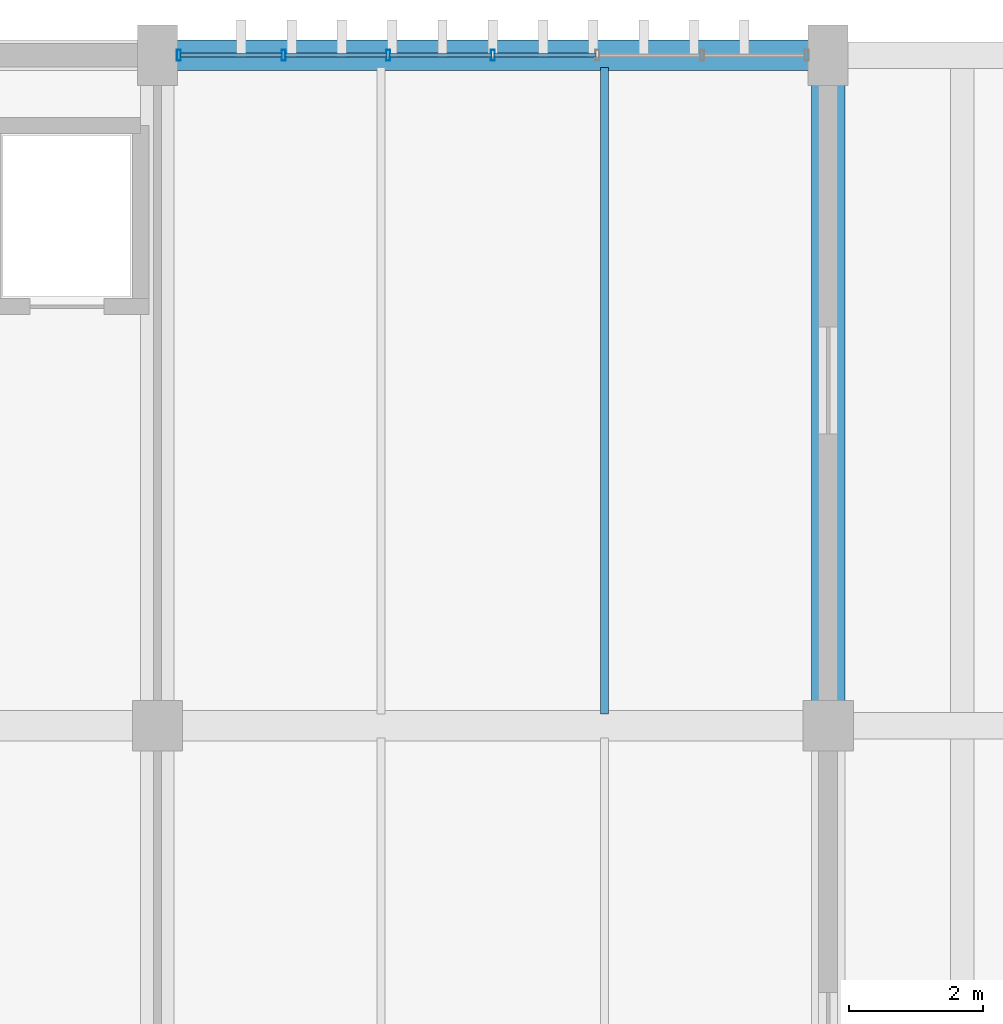
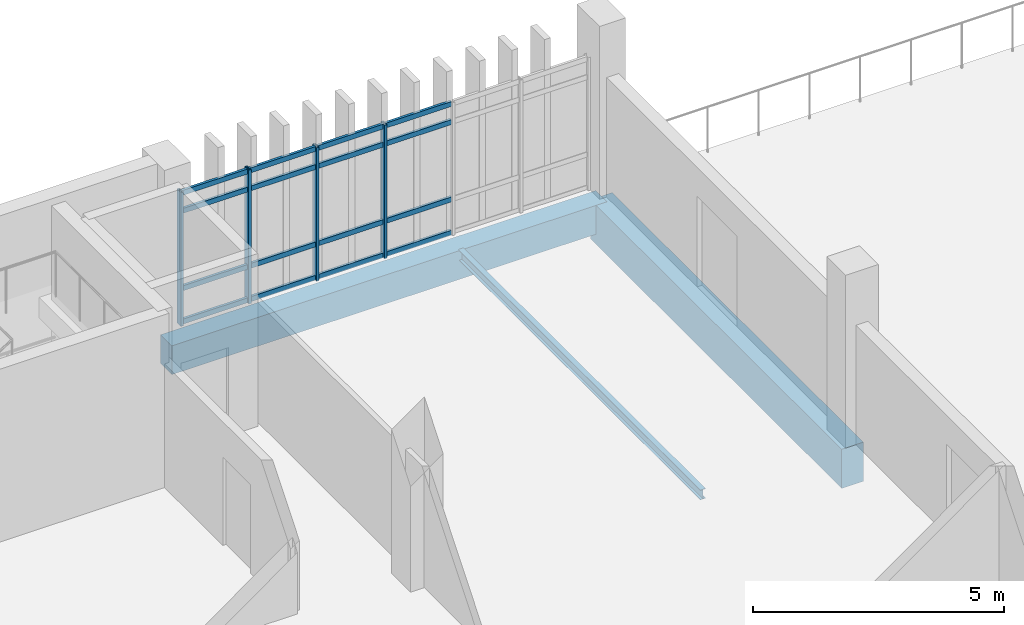
# One storey, part 59 of 111: 20 members, 3 beams, 1 element without a shape of its own.
"""IFC4 building model written with IfcOpenShell, lengths in metres."""

from ifc_helpers import new_model, si_unit, direction, frame, origin, origin_2d, place, context, subcontext, project, spatial, rectangle, hollow_rectangle, i_section, extrude, material, layer, layer_set, material_profile, profile_set, type_object, element, aggregate, save


model = new_model("IFC4")

# Units and contexts
model_context = context("Model", 3, precision=1e-05, world=origin(), true_north=direction((0.0, 1.0)))
body_context = subcontext(model_context, "Body", "Model", "MODEL_VIEW")
ifc_project = project(units=[si_unit("LENGTHUNIT", "METRE"), si_unit("AREAUNIT", "SQUARE_METRE"), si_unit("VOLUMEUNIT", "CUBIC_METRE"), si_unit("PLANEANGLEUNIT", "RADIAN"), si_unit("MASSUNIT", "GRAM", prefix="KILO")], contexts=[model_context])

# Site, building, storey
site_placement = place(None, origin())
site = spatial("IfcSite", under=ifc_project, at=site_placement, CompositionType="ELEMENT")
building_placement = place(site_placement, origin())
building = spatial("IfcBuilding", under=site, at=building_placement, Name="Mersad Railyard Sports Hall", CompositionType="ELEMENT")
storey_placement = place(building_placement, frame((0.0, 0.0, 9.0)))
storey = spatial("IfcBuildingStorey", under=building, at=storey_placement, Name="L02", CompositionType="ELEMENT", Elevation=9.0)

# Curtain wall, members
ifc_material_1 = material(Name="Aluminium 6063-T6", Category="aluminium")
ifc_layer = layer(ifc_material_1, 0.159912109375)
ifc_layer_set = layer_set([ifc_layer], Name="Aluminium 6063-T6")
curtain_wall_type = type_object("IfcCurtainWallType", Name="ARC-CW-CW53", PredefinedType="USERDEFINED", material=ifc_layer_set)
curtain_wall_placement = place(storey_placement, origin())
curtain_wall = element("IfcCurtainWall", 1, at=curtain_wall_placement, inside=storey, type_object=curtain_wall_type, Name="Curtain wall CW53-0142", ObjectType="CURTAIN WALL", PredefinedType="USERDEFINED")
ifc_material_profile_1 = material_profile(ifc_material_1, hollow_rectangle(XDim=0.06005859375, YDim=0.159912109375, WallThickness=0.00390625, at=origin_2d()), Name="AL MULLION 60x160x4")
ifc_profile_set_1 = profile_set([ifc_material_profile_1], Name="Aluminium 6063-T6")
member_type_1 = type_object("IfcMemberType", Name="ARC-CW-MUL01", PredefinedType="MULLION", material=ifc_profile_set_1)
member_1_placement = place(storey_placement, frame((121.320068359375, 115.0, -0.02001953125), z_axis=(0.0, 0.0, 1.0), x_axis=(1.0, 0.0, 0.0)))
member_1 = element("IfcMember", 2, at=member_1_placement, type_object=member_type_1, Name="CW53 Mullion 1", PredefinedType="MULLION", context=body_context, shape_type="SweptSolid", body=[
    extrude(hollow_rectangle(XDim=0.06005859375, YDim=0.159912109375, WallThickness=0.00390625, at=origin_2d()), origin(), (0.0, 0.0, 1.0), 3.25),
])
member_2_placement = place(storey_placement, frame((122.8798828125, 115.0, -0.02001953125), z_axis=(0.0, 0.0, 1.0), x_axis=(1.0, 0.0, 0.0)))
member_2 = element("IfcMember", 3, at=member_2_placement, type_object=member_type_1, Name="CW53 Mullion 2", PredefinedType="MULLION", context=body_context, shape_type="SweptSolid", body=[
    extrude(hollow_rectangle(XDim=0.06005859375, YDim=0.159912109375, WallThickness=0.00390625, at=origin_2d()), origin(), (0.0, 0.0, 1.0), 3.25),
])
member_3_placement = place(storey_placement, frame((124.43994140625, 115.0, -0.02001953125), z_axis=(0.0, 0.0, 1.0), x_axis=(1.0, 0.0, 0.0)))
member_3 = element("IfcMember", 4, at=member_3_placement, type_object=member_type_1, Name="CW53 Mullion 3", PredefinedType="MULLION", context=body_context, shape_type="SweptSolid", body=[
    extrude(hollow_rectangle(XDim=0.06005859375, YDim=0.159912109375, WallThickness=0.00390625, at=origin_2d()), origin(), (0.0, 0.0, 1.0), 3.25),
])
member_4_placement = place(storey_placement, frame((126.0, 115.0, -0.02001953125), z_axis=(0.0, 0.0, 1.0), x_axis=(1.0, 0.0, 0.0)))
member_4 = element("IfcMember", 5, at=member_4_placement, type_object=member_type_1, Name="CW53 Mullion 4", PredefinedType="MULLION", context=body_context, shape_type="SweptSolid", body=[
    extrude(hollow_rectangle(XDim=0.06005859375, YDim=0.159912109375, WallThickness=0.00390625, at=origin_2d()), origin(), (0.0, 0.0, 1.0), 3.25),
])
ifc_material_profile_2 = material_profile(ifc_material_1, hollow_rectangle(XDim=0.06005859375, YDim=0.1201171875, WallThickness=0.00390625, at=origin_2d()), Name="AL TRANSOM 60x120x4")
ifc_profile_set_2 = profile_set([ifc_material_profile_2], Name="Aluminium 6063-T6")
member_type_2 = type_object("IfcMemberType", Name="ARC-CW-TRN01", PredefinedType="USERDEFINED", material=ifc_profile_set_2)
member_5_placement = place(storey_placement, frame((121.340087890625, 115.0, 0.0400390625), z_axis=(1.0, 0.0, 0.0), x_axis=(0.0, 1.0, 0.0)))
member_5 = element("IfcMember", 6, at=member_5_placement, type_object=member_type_2, Name="CW53 Transom 1-1", ObjectType="TRANSOM", PredefinedType="USERDEFINED", context=body_context, shape_type="SweptSolid", body=[
    extrude(hollow_rectangle(XDim=0.06005859375, YDim=0.1201171875, WallThickness=0.00390625, at=origin_2d()), origin(), (0.0, 0.0, 1.0), 1.52001953125),
])
member_6_placement = place(storey_placement, frame((122.89990234375, 115.0, 0.0400390625), z_axis=(1.0, 0.0, 0.0), x_axis=(0.0, 1.0, 0.0)))
member_6 = element("IfcMember", 7, at=member_6_placement, type_object=member_type_2, Name="CW53 Transom 1-2", ObjectType="TRANSOM", PredefinedType="USERDEFINED", context=body_context, shape_type="SweptSolid", body=[
    extrude(hollow_rectangle(XDim=0.06005859375, YDim=0.1201171875, WallThickness=0.00390625, at=origin_2d()), origin(), (0.0, 0.0, 1.0), 1.52001953125),
])
member_7_placement = place(storey_placement, frame((124.4599609375, 115.0, 0.0400390625), z_axis=(1.0, 0.0, 0.0), x_axis=(0.0, 1.0, 0.0)))
member_7 = element("IfcMember", 8, at=member_7_placement, type_object=member_type_2, Name="CW53 Transom 1-3", ObjectType="TRANSOM", PredefinedType="USERDEFINED", context=body_context, shape_type="SweptSolid", body=[
    extrude(hollow_rectangle(XDim=0.06005859375, YDim=0.1201171875, WallThickness=0.00390625, at=origin_2d()), origin(), (0.0, 0.0, 1.0), 1.52001953125),
])
member_8_placement = place(storey_placement, frame((126.02001953125, 115.0, 0.0400390625), z_axis=(1.0, 0.0, 0.0), x_axis=(0.0, 1.0, 0.0)))
member_8 = element("IfcMember", 9, at=member_8_placement, type_object=member_type_2, Name="CW53 Transom 1-4", ObjectType="TRANSOM", PredefinedType="USERDEFINED", context=body_context, shape_type="SweptSolid", body=[
    extrude(hollow_rectangle(XDim=0.06005859375, YDim=0.1201171875, WallThickness=0.00390625, at=origin_2d()), origin(), (0.0, 0.0, 1.0), 1.52001953125),
])
member_9_placement = place(storey_placement, frame((121.340087890625, 115.0, 0.85009765625), z_axis=(1.0, 0.0, 0.0), x_axis=(0.0, 1.0, 0.0)))
member_9 = element("IfcMember", 10, at=member_9_placement, type_object=member_type_2, Name="CW53 Transom 2-1", ObjectType="TRANSOM", PredefinedType="USERDEFINED", context=body_context, shape_type="SweptSolid", body=[
    extrude(hollow_rectangle(XDim=0.06005859375, YDim=0.1201171875, WallThickness=0.00390625, at=origin_2d()), origin(), (0.0, 0.0, 1.0), 1.52001953125),
])
member_10_placement = place(storey_placement, frame((122.89990234375, 115.0, 0.85009765625), z_axis=(1.0, 0.0, 0.0), x_axis=(0.0, 1.0, 0.0)))
member_10 = element("IfcMember", 11, at=member_10_placement, type_object=member_type_2, Name="CW53 Transom 2-2", ObjectType="TRANSOM", PredefinedType="USERDEFINED", context=body_context, shape_type="SweptSolid", body=[
    extrude(hollow_rectangle(XDim=0.06005859375, YDim=0.1201171875, WallThickness=0.00390625, at=origin_2d()), origin(), (0.0, 0.0, 1.0), 1.52001953125),
])
member_11_placement = place(storey_placement, frame((124.4599609375, 115.0, 0.85009765625), z_axis=(1.0, 0.0, 0.0), x_axis=(0.0, 1.0, 0.0)))
member_11 = element("IfcMember", 12, at=member_11_placement, type_object=member_type_2, Name="CW53 Transom 2-3", ObjectType="TRANSOM", PredefinedType="USERDEFINED", context=body_context, shape_type="SweptSolid", body=[
    extrude(hollow_rectangle(XDim=0.06005859375, YDim=0.1201171875, WallThickness=0.00390625, at=origin_2d()), origin(), (0.0, 0.0, 1.0), 1.52001953125),
])
member_12_placement = place(storey_placement, frame((126.02001953125, 115.0, 0.85009765625), z_axis=(1.0, 0.0, 0.0), x_axis=(0.0, 1.0, 0.0)))
member_12 = element("IfcMember", 13, at=member_12_placement, type_object=member_type_2, Name="CW53 Transom 2-4", ObjectType="TRANSOM", PredefinedType="USERDEFINED", context=body_context, shape_type="SweptSolid", body=[
    extrude(hollow_rectangle(XDim=0.06005859375, YDim=0.1201171875, WallThickness=0.00390625, at=origin_2d()), origin(), (0.0, 0.0, 1.0), 1.52001953125),
])
member_13_placement = place(storey_placement, frame((121.340087890625, 115.0, 2.72998046875), z_axis=(1.0, 0.0, 0.0), x_axis=(0.0, 1.0, 0.0)))
member_13 = element("IfcMember", 14, at=member_13_placement, type_object=member_type_2, Name="CW53 Transom 3-1", ObjectType="TRANSOM", PredefinedType="USERDEFINED", context=body_context, shape_type="SweptSolid", body=[
    extrude(hollow_rectangle(XDim=0.06005859375, YDim=0.1201171875, WallThickness=0.00390625, at=origin_2d()), origin(), (0.0, 0.0, 1.0), 1.52001953125),
])
member_14_placement = place(storey_placement, frame((122.89990234375, 115.0, 2.72998046875), z_axis=(1.0, 0.0, 0.0), x_axis=(0.0, 1.0, 0.0)))
member_14 = element("IfcMember", 15, at=member_14_placement, type_object=member_type_2, Name="CW53 Transom 3-2", ObjectType="TRANSOM", PredefinedType="USERDEFINED", context=body_context, shape_type="SweptSolid", body=[
    extrude(hollow_rectangle(XDim=0.06005859375, YDim=0.1201171875, WallThickness=0.00390625, at=origin_2d()), origin(), (0.0, 0.0, 1.0), 1.52001953125),
])
member_15_placement = place(storey_placement, frame((124.4599609375, 115.0, 2.72998046875), z_axis=(1.0, 0.0, 0.0), x_axis=(0.0, 1.0, 0.0)))
member_15 = element("IfcMember", 16, at=member_15_placement, type_object=member_type_2, Name="CW53 Transom 3-3", ObjectType="TRANSOM", PredefinedType="USERDEFINED", context=body_context, shape_type="SweptSolid", body=[
    extrude(hollow_rectangle(XDim=0.06005859375, YDim=0.1201171875, WallThickness=0.00390625, at=origin_2d()), origin(), (0.0, 0.0, 1.0), 1.52001953125),
])
member_16_placement = place(storey_placement, frame((126.02001953125, 115.0, 2.72998046875), z_axis=(1.0, 0.0, 0.0), x_axis=(0.0, 1.0, 0.0)))
member_16 = element("IfcMember", 17, at=member_16_placement, type_object=member_type_2, Name="CW53 Transom 3-4", ObjectType="TRANSOM", PredefinedType="USERDEFINED", context=body_context, shape_type="SweptSolid", body=[
    extrude(hollow_rectangle(XDim=0.06005859375, YDim=0.1201171875, WallThickness=0.00390625, at=origin_2d()), origin(), (0.0, 0.0, 1.0), 1.52001953125),
])
member_17_placement = place(storey_placement, frame((121.340087890625, 115.0, 3.169921875), z_axis=(1.0, 0.0, 0.0), x_axis=(0.0, 1.0, 0.0)))
member_17 = element("IfcMember", 18, at=member_17_placement, type_object=member_type_2, Name="CW53 Transom 4-1", ObjectType="TRANSOM", PredefinedType="USERDEFINED", context=body_context, shape_type="SweptSolid", body=[
    extrude(hollow_rectangle(XDim=0.06005859375, YDim=0.1201171875, WallThickness=0.00390625, at=origin_2d()), origin(), (0.0, 0.0, 1.0), 1.52001953125),
])
member_18_placement = place(storey_placement, frame((122.89990234375, 115.0, 3.169921875), z_axis=(1.0, 0.0, 0.0), x_axis=(0.0, 1.0, 0.0)))
member_18 = element("IfcMember", 19, at=member_18_placement, type_object=member_type_2, Name="CW53 Transom 4-2", ObjectType="TRANSOM", PredefinedType="USERDEFINED", context=body_context, shape_type="SweptSolid", body=[
    extrude(hollow_rectangle(XDim=0.06005859375, YDim=0.1201171875, WallThickness=0.00390625, at=origin_2d()), origin(), (0.0, 0.0, 1.0), 1.52001953125),
])
member_19_placement = place(storey_placement, frame((124.4599609375, 115.0, 3.169921875), z_axis=(1.0, 0.0, 0.0), x_axis=(0.0, 1.0, 0.0)))
member_19 = element("IfcMember", 20, at=member_19_placement, type_object=member_type_2, Name="CW53 Transom 4-3", ObjectType="TRANSOM", PredefinedType="USERDEFINED", context=body_context, shape_type="SweptSolid", body=[
    extrude(hollow_rectangle(XDim=0.06005859375, YDim=0.1201171875, WallThickness=0.00390625, at=origin_2d()), origin(), (0.0, 0.0, 1.0), 1.52001953125),
])
member_20_placement = place(storey_placement, frame((126.02001953125, 115.0, 3.169921875), z_axis=(1.0, 0.0, 0.0), x_axis=(0.0, 1.0, 0.0)))
member_20 = element("IfcMember", 21, at=member_20_placement, type_object=member_type_2, Name="CW53 Transom 4-4", ObjectType="TRANSOM", PredefinedType="USERDEFINED", context=body_context, shape_type="SweptSolid", body=[
    extrude(hollow_rectangle(XDim=0.06005859375, YDim=0.1201171875, WallThickness=0.00390625, at=origin_2d()), origin(), (0.0, 0.0, 1.0), 1.52001953125),
])
aggregate(curtain_wall, [member_1, member_2, member_3, member_4, member_5, member_6, member_7, member_8, member_9, member_10, member_11, member_12, member_13, member_14, member_15, member_16, member_17, member_18, member_19, member_20])

# Beams
ifc_material_2 = material(Name="Concrete C50/60", Category="concrete")
ifc_material_profile_3 = material_profile(ifc_material_2, rectangle(XDim=0.5, YDim=0.949951171875, at=origin_2d()), Name="RC 500x950")
ifc_profile_set_3 = profile_set([ifc_material_profile_3], Name="Concrete C50/60")
beam_type_1 = type_object("IfcBeamType", Name="STR-BM-B03", PredefinedType="BEAM", material=ifc_profile_set_3)
beam_1_placement = place(storey_placement, frame((131.0, 105.0, -0.77490234375), z_axis=(0.0, 1.0, 0.0), x_axis=(-1.0, 0.0, 0.0)))
element("IfcBeam", 22, at=beam_1_placement, inside=storey, type_object=beam_type_1, Name="Beam B03-1123", PredefinedType="BEAM", context=body_context, shape_type="SweptSolid", body=[
    extrude(rectangle(XDim=0.5, YDim=0.949951171875, at=origin_2d()), origin(), (0.0, 0.0, 1.0), 10.0),
])
ifc_material_3 = material(Name="Steel S355", Category="steel")
ifc_material_profile_4 = material_profile(ifc_material_3, i_section(OverallWidth=0.1201171875, OverallDepth=0.239990234375, WebThickness=0.006103515625, FlangeThickness=0.009765625, at=origin_2d()), Name="IPE 240")
ifc_profile_set_4 = profile_set([ifc_material_profile_4], Name="Steel S355")
beam_type_2 = type_object("IfcBeamType", Name="STR-BM-SB03", PredefinedType="BEAM", material=ifc_profile_set_4)
beam_2_placement = place(storey_placement, frame((127.6669921875, 105.179931640625, -0.419921875), z_axis=(0.0, 1.0, 0.0), x_axis=(-1.0, 0.0, 0.0)))
element("IfcBeam", 23, at=beam_2_placement, inside=storey, type_object=beam_type_2, Name="Beam SB03-1191", PredefinedType="BEAM", context=body_context, shape_type="SweptSolid", body=[
    extrude(i_section(OverallWidth=0.1201171875, OverallDepth=0.239990234375, WebThickness=0.006103515625, FlangeThickness=0.009765625, at=origin_2d()), origin(), (0.0, 0.0, 1.0), 9.64013671875),
])
ifc_material_4 = material(Name="Architectural concrete C40/50", Category="concrete")
ifc_material_profile_5 = material_profile(ifc_material_4, rectangle(XDim=0.449951171875, YDim=0.699951171875, at=origin_2d()), Name="RC 450x700")
ifc_profile_set_5 = profile_set([ifc_material_profile_5], Name="Architectural concrete C40/50")
beam_type_3 = type_object("IfcBeamType", Name="STR-BM-SP01", PredefinedType="SPANDREL", material=ifc_profile_set_5)
beam_3_placement = place(storey_placement, frame((121.0, 115.0, -0.64990234375), z_axis=(1.0, 0.0, 0.0), x_axis=(0.0, 1.0, 0.0)))
element("IfcBeam", 24, at=beam_3_placement, inside=storey, type_object=beam_type_3, Name="Beam SP01-1096", PredefinedType="SPANDREL", context=body_context, shape_type="SweptSolid", body=[
    extrude(rectangle(XDim=0.449951171875, YDim=0.699951171875, at=origin_2d()), origin(), (0.0, 0.0, 1.0), 10.0),
])

save(model, "model.ifc")
